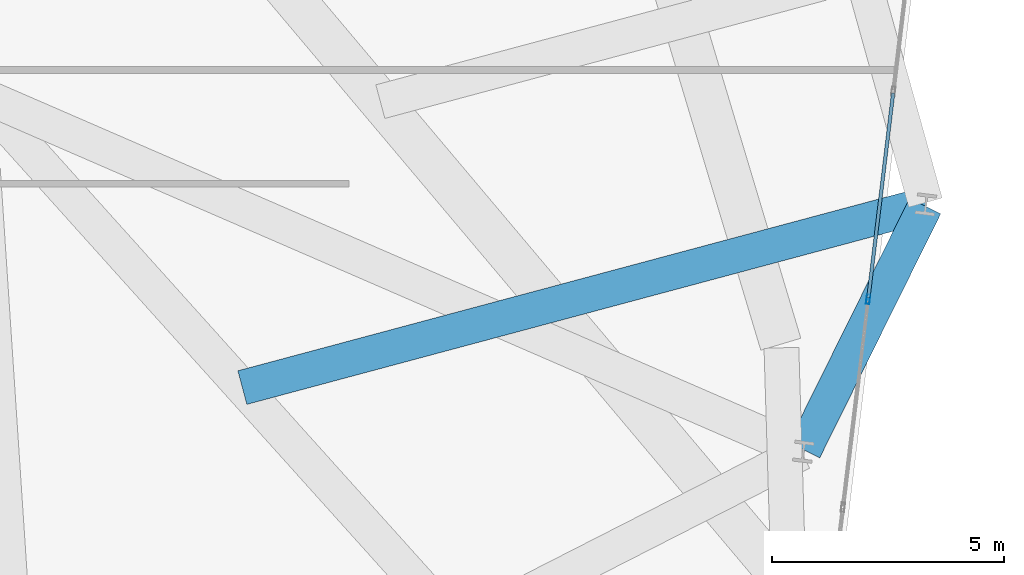
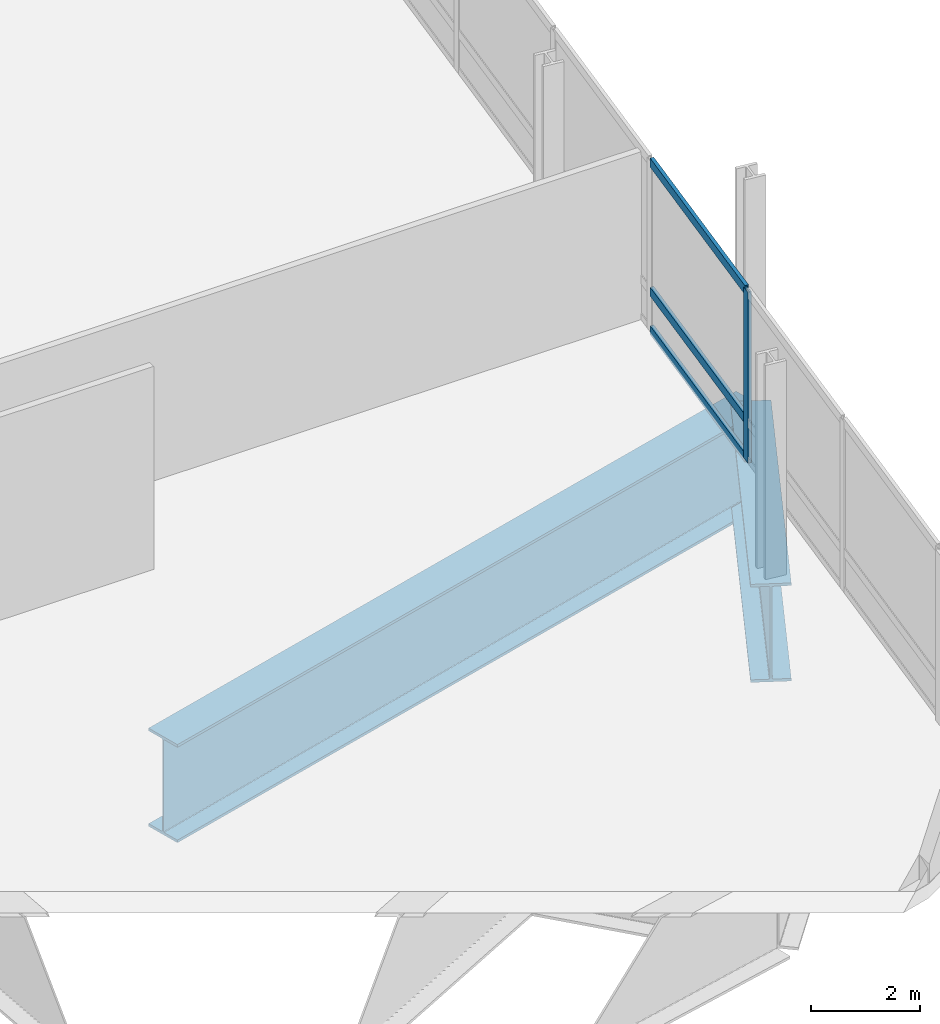
# One storey, part 11 of 22: 4 members, 2 beams, 1 element without a shape of its own.
"""IFC4 building model written with IfcOpenShell, lengths in metres."""

from ifc_helpers import new_model, si_unit, direction, frame, origin, origin_2d, place, context, subcontext, project, spatial, hollow_rectangle, i_section, extrude, material, layer, layer_set, material_profile, profile_set, type_object, element, aggregate, save


model = new_model("IFC4")

# Units and contexts
model_context = context("Model", 3, precision=1e-05, world=origin(), true_north=direction((0.0, 1.0)))
body_context = subcontext(model_context, "Body", "Model", "MODEL_VIEW")
ifc_project = project(units=[si_unit("LENGTHUNIT", "METRE"), si_unit("AREAUNIT", "SQUARE_METRE"), si_unit("VOLUMEUNIT", "CUBIC_METRE"), si_unit("PLANEANGLEUNIT", "RADIAN"), si_unit("MASSUNIT", "GRAM", prefix="KILO")], contexts=[model_context])

# Site, building, storey
site_placement = place(None, origin())
site = spatial("IfcSite", under=ifc_project, at=site_placement, CompositionType="ELEMENT")
building_placement = place(site_placement, origin())
building = spatial("IfcBuilding", under=site, at=building_placement, Name="Varnelok Gate Tower", CompositionType="ELEMENT")
storey_placement = place(building_placement, frame((0.0, 0.0, 116.89990234375)))
storey = spatial("IfcBuildingStorey", under=building, at=storey_placement, Name="L29", CompositionType="ELEMENT", Elevation=116.89990234375)

# Beams
ifc_material_1 = material(Name="Structural Steel ASTM A572 Grade 50", Category="steel")
ifc_material_profile_1 = material_profile(ifc_material_1, i_section(OverallWidth=0.75, OverallDepth=2.199951171875, WebThickness=0.031982421875, FlangeThickness=0.06005859375, FilletRadius=0.028076171875, at=origin_2d()), Name="PG2200X750")
ifc_profile_set_1 = profile_set([ifc_material_profile_1], Name="Structural Steel ASTM A572 Grade 50")
beam_type = type_object("IfcBeamType", Name="BM-TR-PG2200", PredefinedType="BEAM", material=ifc_profile_set_1)
beam_1_placement = place(storey_placement, frame((59.701171875, 12.456787109375, -1.419921875), z_axis=(0.965926905257, 0.258815018308, 0.0), x_axis=(-0.258815018308, 0.965926905257, 0.0)))
element("IfcBeam", 1, at=beam_1_placement, inside=storey, type_object=beam_type, Name="L29 Column Transfer Carrier Girder 7", PredefinedType="BEAM", context=body_context, shape_type="SweptSolid", body=[
    extrude(i_section(OverallWidth=0.75, OverallDepth=2.199951171875, WebThickness=0.031982421875, FlangeThickness=0.06005859375, FilletRadius=0.028076171875, at=origin_2d()), origin(), (0.0, 0.0, 1.0), 15.254150390625),
])
beam_2_placement = place(storey_placement, frame((71.810791015625, 11.110107421875, -1.419921875), z_axis=(0.444133044846, 0.895960846509, 0.0), x_axis=(-0.895960846509, 0.444133044846, 0.0)))
element("IfcBeam", 2, at=beam_2_placement, inside=storey, type_object=beam_type, Name="L29 Upper Perimeter Transfer Ring 6", PredefinedType="BEAM", context=body_context, shape_type="SweptSolid", body=[
    extrude(i_section(OverallWidth=0.75, OverallDepth=2.199951171875, WebThickness=0.031982421875, FlangeThickness=0.06005859375, FilletRadius=0.028076171875, at=origin_2d()), origin(), (0.0, 0.0, 1.0), 5.86962890625),
])

# Curtain wall, members
ifc_material_2 = material(Name="Anodized Aluminum Alloy 6063-T6", Category="aluminium")
ifc_layer = layer(ifc_material_2, 0.179931640625)
ifc_layer_set = layer_set([ifc_layer], Name="Anodized Aluminum Alloy 6063-T6")
curtain_wall_type = type_object("IfcCurtainWallType", Name="CW2-ATRIUM-GLAZING", PredefinedType="USERDEFINED", material=ifc_layer_set)
curtain_wall_placement = place(storey_placement, origin())
curtain_wall = element("IfcCurtainWall", 3, at=curtain_wall_placement, inside=storey, type_object=curtain_wall_type, Name="L29 East End Vision Curtain Wall", ObjectType="UNITISED CURTAIN WALL", PredefinedType="USERDEFINED")
ifc_material_profile_2 = material_profile(ifc_material_2, hollow_rectangle(XDim=0.074951171875, YDim=0.199951171875, WallThickness=0.00390625, at=origin_2d()), Name="ALU200X75X4")
ifc_profile_set_2 = profile_set([ifc_material_profile_2], Name="Anodized Aluminum Alloy 6063-T6")
member_type_1 = type_object("IfcMemberType", Name="CW-MULL-200", PredefinedType="MULLION", material=ifc_profile_set_2)
member_1_placement = place(storey_placement, frame((73.190185546875, 14.3583984375, 0.0), z_axis=(0.0, 0.0, 1.0), x_axis=(0.992732166735, -0.120344692987, 0.0)))
member_1 = element("IfcMember", 4, at=member_1_placement, type_object=member_type_1, Name="CW2 mullion 6", PredefinedType="MULLION", context=body_context, shape_type="SweptSolid", body=[
    extrude(hollow_rectangle(XDim=0.074951171875, YDim=0.199951171875, WallThickness=0.00390625, at=origin_2d()), origin(), (0.0, 0.0, 1.0), 3.830078125),
])
ifc_material_profile_3 = material_profile(ifc_material_2, hollow_rectangle(XDim=0.074951171875, YDim=0.199951171875, WallThickness=0.00390625, at=origin_2d()), Name="ALU200X75X4")
ifc_profile_set_3 = profile_set([ifc_material_profile_3], Name="Anodized Aluminum Alloy 6063-T6")
member_type_2 = type_object("IfcMemberType", Name="CW-TRAN-200", PredefinedType="USERDEFINED", material=ifc_profile_set_3)
member_2_placement = place(storey_placement, frame((73.72900390625, 18.802734375, 0.03759765625), z_axis=(-0.120331367519, -0.992733782034, 0.0), x_axis=(0.992733782034, -0.120331367519, 0.0)))
member_2 = element("IfcMember", 5, at=member_2_placement, type_object=member_type_2, Name="CW2 transom 5.1", ObjectType="TRANSOM", PredefinedType="USERDEFINED", context=body_context, shape_type="SweptSolid", body=[
    extrude(hollow_rectangle(XDim=0.074951171875, YDim=0.199951171875, WallThickness=0.00390625, at=origin_2d()), origin(), (0.0, 0.0, 1.0), 4.439208984375),
])
member_3_placement = place(storey_placement, frame((73.72900390625, 18.802734375, 0.900146484375), z_axis=(-0.120331367519, -0.992733782034, 0.0), x_axis=(0.992733782034, -0.120331367519, 0.0)))
member_3 = element("IfcMember", 6, at=member_3_placement, type_object=member_type_2, Name="CW2 transom 5.2", ObjectType="TRANSOM", PredefinedType="USERDEFINED", context=body_context, shape_type="SweptSolid", body=[
    extrude(hollow_rectangle(XDim=0.074951171875, YDim=0.199951171875, WallThickness=0.00390625, at=origin_2d()), origin(), (0.0, 0.0, 1.0), 4.439208984375),
])
member_4_placement = place(storey_placement, frame((73.72900390625, 18.802734375, 3.79248046875), z_axis=(-0.120331367519, -0.992733782034, 0.0), x_axis=(0.992733782034, -0.120331367519, 0.0)))
member_4 = element("IfcMember", 7, at=member_4_placement, type_object=member_type_2, Name="CW2 transom 5.3", ObjectType="TRANSOM", PredefinedType="USERDEFINED", context=body_context, shape_type="SweptSolid", body=[
    extrude(hollow_rectangle(XDim=0.074951171875, YDim=0.199951171875, WallThickness=0.00390625, at=origin_2d()), origin(), (0.0, 0.0, 1.0), 4.439208984375),
])
aggregate(curtain_wall, [member_1, member_2, member_3, member_4])

save(model, "model.ifc")
